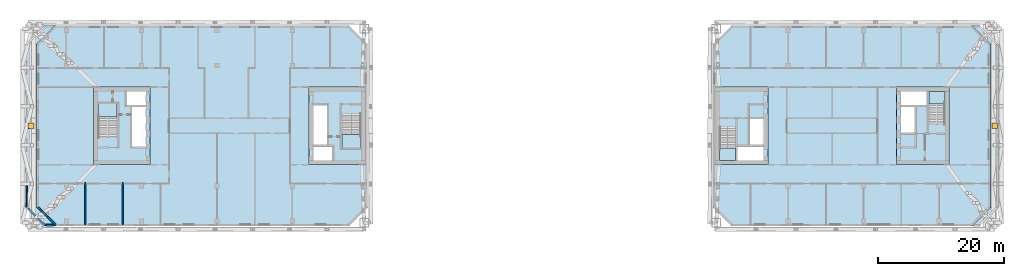
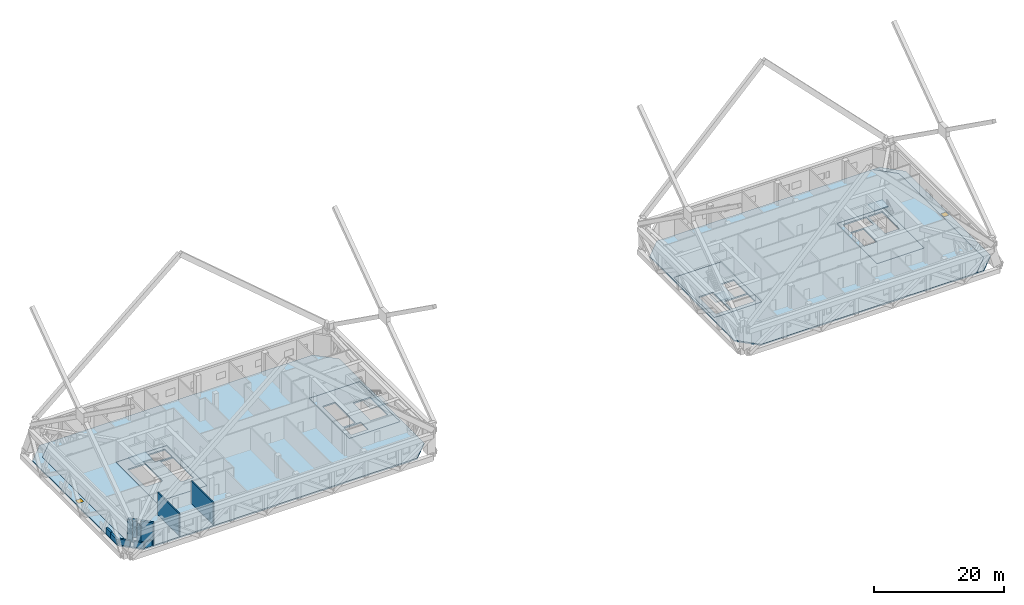
# One storey, part 6 of 20: 12 slabs, 11 walls, 2 windows, 2 openings, 4 elements without a shape of their own.
"""IFC4 building model written with IfcOpenShell, lengths in metres."""

from ifc_helpers import new_model, si_unit, direction, frame, frame_2d, origin, origin_2d, place, context, subcontext, project, spatial, polyline, rectangle, outline, extrude, material, layer, layer_set, type_object, element, fill, aggregate, save


model = new_model("IFC4")

# Units and contexts
model_context = context("Model", 3, precision=1e-05, world=origin(), true_north=direction((0.0, 1.0)))
body_context = subcontext(model_context, "Body", "Model", "MODEL_VIEW")
ifc_project = project(units=[si_unit("LENGTHUNIT", "METRE"), si_unit("AREAUNIT", "SQUARE_METRE"), si_unit("VOLUMEUNIT", "CUBIC_METRE"), si_unit("PLANEANGLEUNIT", "RADIAN"), si_unit("MASSUNIT", "GRAM", prefix="KILO")], contexts=[model_context])

# Site, building, storey
site_placement = place(None, origin())
site = spatial("IfcSite", under=ifc_project, at=site_placement, CompositionType="ELEMENT")
building_placement = place(site_placement, origin())
building = spatial("IfcBuilding", under=site, at=building_placement, Name="Tuart Gate Housing", CompositionType="ELEMENT")
storey_placement = place(building_placement, frame((0.0, 0.0, 62.89990234375)))
storey = spatial("IfcBuildingStorey", under=building, at=storey_placement, Name="L17", CompositionType="ELEMENT", Elevation=62.89990234375)

# Slabs
ifc_material_1 = material(Name="Concrete C40", Category="concrete")
ifc_layer_1 = layer(ifc_material_1, 0.25)
ifc_layer_set_1 = layer_set([ifc_layer_1], Name="Core floor slab 250")
slab_type_1 = type_object("IfcSlabType", Name="Core floor slab 250", PredefinedType="FLOOR", material=ifc_layer_set_1)
slab_1_placement = place(storey_placement, frame((0.0, 0.0, -0.25)))
element("IfcSlab", 1, at=slab_1_placement, inside=storey, type_object=slab_type_1, Name="Core floor AG", PredefinedType="FLOOR", context=body_context, shape_type="SweptSolid", body=[
    extrude(outline(polyline([(66.639892578125, 63.800048828125), (75.639892578125, 63.800048828125), (75.639892578125, 76.199951171875), (66.639892578125, 76.199951171875), (66.639892578125, 63.800048828125)]), holes=[polyline([(67.340087890625, 64.5), (70.360107421875, 64.5), (70.360107421875, 66.699951171875), (67.340087890625, 66.699951171875), (67.340087890625, 64.5)]), polyline([(67.340087890625, 67.0), (69.5400390625, 67.0), (69.5400390625, 73.300048828125), (67.340087890625, 73.300048828125), (67.340087890625, 67.0)]), polyline([(71.889892578125, 66.35009765625), (74.93994140625, 66.35009765625), (74.93994140625, 71.7548828125), (71.889892578125, 71.7548828125), (71.889892578125, 66.35009765625)])]), origin(), (0.0, 0.0, 1.0), 0.25),
])
slab_2_placement = place(storey_placement, frame((0.0, 0.0, -0.25)))
element("IfcSlab", 2, at=slab_2_placement, inside=storey, type_object=slab_type_1, Name="Core floor AK", PredefinedType="FLOOR", context=body_context, shape_type="SweptSolid", body=[
    extrude(outline(polyline([(32.360107421875, 63.800048828125), (41.360107421875, 63.800048828125), (41.360107421875, 76.199951171875), (32.360107421875, 76.199951171875), (32.360107421875, 63.800048828125)]), holes=[polyline([(40.659912109375, 75.5), (37.639892578125, 75.5), (37.639892578125, 73.300048828125), (40.659912109375, 73.300048828125), (40.659912109375, 75.5)]), polyline([(40.659912109375, 73.0), (38.4599609375, 73.0), (38.4599609375, 66.699951171875), (40.659912109375, 66.699951171875), (40.659912109375, 73.0)]), polyline([(36.110107421875, 73.64990234375), (33.06005859375, 73.64990234375), (33.06005859375, 68.2451171875), (36.110107421875, 68.2451171875), (36.110107421875, 73.64990234375)])]), origin(), (0.0, 0.0, 1.0), 0.25),
])
slab_3_placement = place(storey_placement, frame((0.0, 0.0, -0.25)))
element("IfcSlab", 3, at=slab_3_placement, inside=storey, type_object=slab_type_1, Name="Core floor BG", PredefinedType="FLOOR", context=body_context, shape_type="SweptSolid", body=[
    extrude(outline(polyline([(131.360107421875, 63.800048828125), (139.760009765625, 63.800048828125), (139.760009765625, 76.199951171875), (131.360107421875, 76.199951171875), (131.360107421875, 63.800048828125)]), holes=[polyline([(139.06005859375, 66.85009765625), (134.909912109375, 66.85009765625), (134.909912109375, 64.5), (139.06005859375, 64.5), (139.06005859375, 66.85009765625)]), polyline([(139.06005859375, 71.10009765625), (136.860107421875, 71.10009765625), (136.860107421875, 67.0), (139.06005859375, 67.0), (139.06005859375, 71.10009765625)]), polyline([(134.610107421875, 69.804931640625), (132.06005859375, 69.804931640625), (132.06005859375, 64.5), (134.610107421875, 64.5), (134.610107421875, 69.804931640625)])]), origin(), (0.0, 0.0, 1.0), 0.25),
])
slab_4_placement = place(storey_placement, frame((0.0, 0.0, -0.25)))
element("IfcSlab", 4, at=slab_4_placement, inside=storey, type_object=slab_type_1, Name="Core floor BK", PredefinedType="FLOOR", context=body_context, shape_type="SweptSolid", body=[
    extrude(outline(polyline([(160.239990234375, 63.800048828125), (168.639892578125, 63.800048828125), (168.639892578125, 76.199951171875), (160.239990234375, 76.199951171875), (160.239990234375, 63.800048828125)]), holes=[polyline([(160.93994140625, 73.14990234375), (165.090087890625, 73.14990234375), (165.090087890625, 75.5), (160.93994140625, 75.5), (160.93994140625, 73.14990234375)]), polyline([(160.93994140625, 68.89990234375), (163.139892578125, 68.89990234375), (163.139892578125, 73.0), (160.93994140625, 73.0), (160.93994140625, 68.89990234375)]), polyline([(165.389892578125, 70.195068359375), (167.93994140625, 70.195068359375), (167.93994140625, 75.5), (165.389892578125, 75.5), (165.389892578125, 70.195068359375)])]), origin(), (0.0, 0.0, 1.0), 0.25),
])
ifc_material_2 = material(Name="Concrete C40", Category="concrete")
ifc_layer_2 = layer(ifc_material_2, 0.25)
ifc_layer_set_2 = layer_set([ifc_layer_2], Name="Flat plate 250")
slab_type_2 = type_object("IfcSlabType", Name="Flat plate 250", PredefinedType="FLOOR", material=ifc_layer_set_2)
slab_5_placement = place(storey_placement, frame((0.0, 0.0, -0.25)))
element("IfcSlab", 5, at=slab_5_placement, inside=storey, type_object=slab_type_2, Name="Floor slab A L17", PredefinedType="FLOOR", context=body_context, shape_type="SweptSolid", body=[
    extrude(outline(polyline([(26.25, 86.0), (23.25, 83.0), (23.25, 57.0), (26.25, 54.0), (73.0, 54.0), (76.0, 57.0), (76.0, 83.0), (73.0, 86.0), (26.25, 86.0)]), holes=[polyline([(66.639892578125, 76.199951171875), (75.639892578125, 76.199951171875), (75.639892578125, 63.800048828125), (66.639892578125, 63.800048828125), (66.639892578125, 76.199951171875)]), polyline([(41.360107421875, 76.199951171875), (41.360107421875, 63.800048828125), (32.360107421875, 63.800048828125), (32.360107421875, 76.199951171875), (41.360107421875, 76.199951171875)])]), origin(), (0.0, 0.0, 1.0), 0.25),
])
slab_6_placement = place(storey_placement, frame((0.0, 0.0, -0.25)))
element("IfcSlab", 6, at=slab_6_placement, inside=storey, type_object=slab_type_2, Name="Floor slab B L17", PredefinedType="FLOOR", context=body_context, shape_type="SweptSolid", body=[
    extrude(outline(polyline([(134.0, 86.0), (131.0, 83.0), (131.0, 57.0), (134.0, 54.0), (172.25, 54.0), (175.25, 57.0), (175.25, 83.0), (172.25, 86.0), (134.0, 86.0)]), holes=[polyline([(131.360107421875, 76.199951171875), (139.760009765625, 76.199951171875), (139.760009765625, 63.800048828125), (131.360107421875, 63.800048828125), (131.360107421875, 76.199951171875)]), polyline([(168.639892578125, 76.199951171875), (168.639892578125, 63.800048828125), (160.239990234375, 63.800048828125), (160.239990234375, 76.199951171875), (168.639892578125, 76.199951171875)])]), origin(), (0.0, 0.0, 1.0), 0.25),
])

# Slab, opening, window
ifc_material_3 = material(Name="Concrete C40", Category="concrete")
ifc_layer_3 = layer(ifc_material_3, 0.25)
ifc_layer_set_3 = layer_set([ifc_layer_3], Name="Roof slab 250")
slab_type_3 = type_object("IfcSlabType", Name="Roof slab 250", PredefinedType="ROOF", material=ifc_layer_set_3)
slab_7_placement = place(storey_placement, frame((0.0, 0.0, -0.25)))
slab_7 = element("IfcSlab", 7, at=slab_7_placement, inside=storey, type_object=slab_type_3, Name="Setback roof slab A L17", PredefinedType="ROOF", context=body_context, shape_type="SweptSolid", body=[
    extrude(outline(polyline([(24.5, 54.0), (26.25, 54.0), (23.25, 57.0), (23.25, 83.0), (26.25, 86.0), (24.5, 86.0), (21.5, 83.0), (21.5, 57.0), (24.5, 54.0)])), origin(), (0.0, 0.0, 1.0), 0.25),
])
opening_1_placement = place(slab_7_placement, frame((22.375, 70.0, 0.0)))
opening_1 = element("IfcOpeningElement", 8, at=opening_1_placement, cuts=slab_7, Name="Opening RH1", PredefinedType="OPENING", context=body_context, shape_type="SweptSolid", body=[
    extrude(rectangle(XDim=0.89990234375, YDim=0.89990234375, at=origin_2d()), frame((0.0, 0.0, -0.010009765625)), (0.0, 0.0, 1.0), 0.27001953125),
])
ifc_material_4 = material(Name="Aluminium frame with clear glass", Category="aluminium")
window_type = type_object("IfcWindowType", Name="Roof hatch 900 x 900", PartitioningType="SINGLE_PANEL", PredefinedType="SKYLIGHT", material=ifc_material_4)
window_1_placement = place(opening_1_placement, frame((0.0, 0.0, 0.199951171875)))
window_1 = element("IfcWindow", 9, at=window_1_placement, inside=storey, type_object=window_type, Name="Roof hatch", OverallHeight=0.89990234375, OverallWidth=0.89990234375, PartitioningType="SINGLE_PANEL", PredefinedType="SKYLIGHT", context=body_context, shape_type="SweptSolid", body=[
    extrude(rectangle(XDim=0.89990234375, YDim=0.89990234375, at=origin_2d()), origin(), (0.0, 0.0, 1.0), 0.050048828125),
])
fill(opening_1, window_1)

slab_8_placement = place(storey_placement, frame((0.0, 0.0, -0.25)))
slab_8 = element("IfcSlab", 10, at=slab_8_placement, inside=storey, type_object=slab_type_3, Name="Setback roof slab B L17", PredefinedType="ROOF", context=body_context, shape_type="SweptSolid", body=[
    extrude(outline(polyline([(173.5, 86.0), (172.25, 86.0), (175.25, 83.0), (175.25, 57.0), (172.25, 54.0), (173.5, 54.0), (176.5, 57.0), (176.5, 83.0), (173.5, 86.0)])), origin(), (0.0, 0.0, 1.0), 0.25),
])
opening_2_placement = place(slab_8_placement, frame((175.875, 70.0, 0.0)))
opening_2 = element("IfcOpeningElement", 11, at=opening_2_placement, cuts=slab_8, Name="Opening RH1", PredefinedType="OPENING", context=body_context, shape_type="SweptSolid", body=[
    extrude(rectangle(XDim=0.89990234375, YDim=0.89990234375, at=origin_2d()), frame((0.0, 0.0, -0.010009765625)), (0.0, 0.0, 1.0), 0.27001953125),
])
window_2_placement = place(opening_2_placement, frame((0.0, 0.0, 0.199951171875)))
window_2 = element("IfcWindow", 12, at=window_2_placement, inside=storey, type_object=window_type, Name="Roof hatch", OverallHeight=0.89990234375, OverallWidth=0.89990234375, PartitioningType="SINGLE_PANEL", PredefinedType="SKYLIGHT", context=body_context, shape_type="SweptSolid", body=[
    extrude(rectangle(XDim=0.89990234375, YDim=0.89990234375, at=origin_2d()), origin(), (0.0, 0.0, 1.0), 0.050048828125),
])
fill(opening_2, window_2)

# Stair, slab
ifc_material_5 = material(Name="Concrete C40", Category="concrete")
stair_type_1 = type_object("IfcStairType", Name="Core stair 1500", PredefinedType="HALF_TURN_STAIR", material=ifc_material_5)
stair_1_placement = place(storey_placement, origin())
stair_1 = element("IfcStair", 13, at=stair_1_placement, inside=storey, type_object=stair_type_1, Name="Stair SA1", PredefinedType="HALF_TURN_STAIR")
ifc_material_6 = material(Name="Concrete C40", Category="concrete")
ifc_layer_4 = layer(ifc_material_6, 0.199951171875)
ifc_layer_set_4 = layer_set([ifc_layer_4], Name="Stair landing 200")
slab_type_4 = type_object("IfcSlabType", Name="Stair landing 200", PredefinedType="LANDING", material=ifc_layer_set_4)
slab_9_placement = place(storey_placement, frame((0.0, 0.0, 2.050048828125)))
slab_9 = element("IfcSlab", 14, at=slab_9_placement, type_object=slab_type_4, Name="SA1 landing 1", PredefinedType="LANDING", context=body_context, shape_type="SweptSolid", body=[
    extrude(outline(polyline([(71.889892578125, 66.35009765625), (74.93994140625, 66.35009765625), (74.93994140625, 68.590087890625), (71.889892578125, 68.590087890625), (71.889892578125, 66.35009765625)])), origin(), (0.0, 0.0, 1.0), 0.199951171875),
])
aggregate(stair_1, [slab_9])

stair_2_placement = place(storey_placement, origin())
stair_2 = element("IfcStair", 15, at=stair_2_placement, inside=storey, type_object=stair_type_1, Name="Stair SA2", PredefinedType="HALF_TURN_STAIR")
slab_10_placement = place(storey_placement, frame((0.0, 0.0, 2.050048828125)))
slab_10 = element("IfcSlab", 16, at=slab_10_placement, type_object=slab_type_4, Name="SA2 landing 1", PredefinedType="LANDING", context=body_context, shape_type="SweptSolid", body=[
    extrude(outline(polyline([(36.110107421875, 73.64990234375), (33.06005859375, 73.64990234375), (33.06005859375, 71.409912109375), (36.110107421875, 71.409912109375), (36.110107421875, 73.64990234375)])), origin(), (0.0, 0.0, 1.0), 0.199951171875),
])
aggregate(stair_2, [slab_10])

ifc_material_7 = material(Name="Concrete C40", Category="concrete")
stair_type_2 = type_object("IfcStairType", Name="Core stair 1250", PredefinedType="HALF_TURN_STAIR", material=ifc_material_7)
stair_3_placement = place(storey_placement, origin())
stair_3 = element("IfcStair", 17, at=stair_3_placement, inside=storey, type_object=stair_type_2, Name="Stair SB1", PredefinedType="HALF_TURN_STAIR")
slab_11_placement = place(storey_placement, frame((0.0, 0.0, 2.050048828125)))
slab_11 = element("IfcSlab", 18, at=slab_11_placement, type_object=slab_type_4, Name="SB1 landing 1", PredefinedType="LANDING", context=body_context, shape_type="SweptSolid", body=[
    extrude(outline(polyline([(134.610107421875, 66.489990234375), (132.06005859375, 66.489990234375), (132.06005859375, 64.5), (134.610107421875, 64.5), (134.610107421875, 66.489990234375)])), origin(), (0.0, 0.0, 1.0), 0.199951171875),
])
aggregate(stair_3, [slab_11])

stair_4_placement = place(storey_placement, origin())
stair_4 = element("IfcStair", 19, at=stair_4_placement, inside=storey, type_object=stair_type_2, Name="Stair SB2", PredefinedType="HALF_TURN_STAIR")
slab_12_placement = place(storey_placement, frame((0.0, 0.0, 2.050048828125)))
slab_12 = element("IfcSlab", 20, at=slab_12_placement, type_object=slab_type_4, Name="SB2 landing 1", PredefinedType="LANDING", context=body_context, shape_type="SweptSolid", body=[
    extrude(outline(polyline([(165.389892578125, 73.510009765625), (167.93994140625, 73.510009765625), (167.93994140625, 75.5), (165.389892578125, 75.5), (165.389892578125, 73.510009765625)])), origin(), (0.0, 0.0, 1.0), 0.199951171875),
])
aggregate(stair_4, [slab_12])

# Walls
ifc_material_8 = material(Name="Brick", Category="masonry")
ifc_layer_5 = layer(ifc_material_8, 0.300048828125)
ifc_layer_set_5 = layer_set([ifc_layer_5], Name="Brick parapet wall 300")
wall_type_1 = type_object("IfcWallType", Name="Brick parapet wall 300", PredefinedType="PARAPET", material=ifc_layer_set_5)
wall_1_placement = place(storey_placement, frame((21.64990234375, 60.447021484375, 0.0), z_axis=(0.0, 0.0, 1.0), x_axis=(0.0, -1.0, 0.0)))
element("IfcWall", 21, at=wall_1_placement, inside=storey, type_object=wall_type_1, Name="Roof parapet A 3", PredefinedType="PARAPET", context=body_context, shape_type="SweptSolid", body=[
    extrude(rectangle(XDim=1.403076171875, YDim=0.300048828125, at=frame_2d((0.70166015625, 0.0))), origin(), (0.0, 0.0, 1.0), 1.10009765625),
])
wall_2_placement = place(storey_placement, frame((21.64990234375, 59.0439453125, 0.0), z_axis=(0.0, 0.0, 1.0), x_axis=(0.0, -1.0, 0.0)))
element("IfcWall", 22, at=wall_2_placement, inside=storey, type_object=wall_type_1, Name="Roof parapet A 3", PredefinedType="PARAPET", context=body_context, shape_type="SweptSolid", body=[
    extrude(rectangle(XDim=1.98193359375, YDim=0.300048828125, at=frame_2d((0.990966796875, 0.0))), origin(), (0.0, 0.0, 1.0), 0.91650390625),
])
wall_3_placement = place(storey_placement, frame((21.89794921875, 56.814208984375, 0.0), z_axis=(0.0, 0.0, 1.0), x_axis=(0.707106781187, -0.707106781187, 0.0)))
element("IfcWall", 23, at=wall_3_placement, inside=storey, type_object=wall_type_1, Name="Roof parapet A 4", PredefinedType="PARAPET", context=body_context, shape_type="SweptSolid", body=[
    extrude(rectangle(XDim=1.628662109375, YDim=0.300048828125, at=frame_2d((0.814453125, 0.0))), origin(), (0.0, 0.0, 1.0), 1.10009765625),
])
wall_4_placement = place(storey_placement, frame((23.489013671875, 55.22314453125, 0.0), z_axis=(0.0, 0.0, 1.0), x_axis=(0.707026341306, -0.707187211918, 0.0)))
element("IfcWall", 24, at=wall_4_placement, inside=storey, type_object=wall_type_1, Name="Roof parapet A 4", PredefinedType="PARAPET", context=body_context, shape_type="SweptSolid", body=[
    extrude(rectangle(XDim=1.517578125, YDim=0.300048828125, at=frame_2d((0.7587890625, 0.0))), origin(), (0.0, 0.0, 1.0), 1.10009765625),
])
wall_5_placement = place(storey_placement, frame((24.714111328125, 54.14990234375, 0.0), z_axis=(0.0, 0.0, 1.0), x_axis=(1.0, 0.0, 0.0)))
element("IfcWall", 25, at=wall_5_placement, inside=storey, type_object=wall_type_1, Name="Roof parapet A 5", PredefinedType="PARAPET", context=body_context, shape_type="SweptSolid", body=[
    extrude(rectangle(XDim=1.23583984375, YDim=0.300048828125, at=frame_2d((0.617919921875, 0.0))), origin(), (0.0, 0.0, 1.0), 1.10009765625),
])
ifc_material_9 = material(Name="Brick", Category="masonry")
ifc_layer_6 = layer(ifc_material_9, 0.360107421875)
ifc_layer_set_6 = layer_set([ifc_layer_6], Name="Brick pier and spandrel wall 360")
wall_type_2 = type_object("IfcWallType", Name="Brick pier and spandrel wall 360", PredefinedType="STANDARD", material=ifc_layer_set_6)
wall_6_placement = place(storey_placement, frame((23.46533203125, 57.039306640625, 0.0), z_axis=(0.0, 0.0, 1.0), x_axis=(0.707106781187, -0.707106781187, 0.0)))
element("IfcWall", 26, at=wall_6_placement, inside=storey, type_object=wall_type_2, Name="External wall A-SW L17", PredefinedType="STANDARD", context=body_context, shape_type="SweptSolid", body=[
    extrude(rectangle(XDim=0.7529296875, YDim=0.360107421875, at=frame_2d((0.37646484375, 0.0))), origin(), (0.0, 0.0, 1.0), 4.2001953125),
])
wall_7_placement = place(storey_placement, frame((23.997802734375, 56.5068359375, 0.953125), z_axis=(0.0, 0.0, 1.0), x_axis=(0.706911258792, -0.707302249532, 0.0)))
element("IfcWall", 27, at=wall_7_placement, inside=storey, type_object=wall_type_2, Name="External wall A-SW L17", PredefinedType="STANDARD", context=body_context, shape_type="SweptSolid", body=[
    extrude(rectangle(XDim=0.62451171875, YDim=0.360107421875, at=frame_2d((0.312255859375, 0.0))), origin(), (0.0, 0.0, 1.0), 3.2470703125),
])
wall_8_placement = place(storey_placement, frame((24.522216796875, 55.982421875, 0.0), z_axis=(0.0, 0.0, 1.0), x_axis=(0.70690569865, -0.707307806556, 0.0)))
element("IfcWall", 28, at=wall_8_placement, inside=storey, type_object=wall_type_2, Name="External wall A-SW L17", PredefinedType="STANDARD", context=body_context, shape_type="SweptSolid", body=[
    extrude(rectangle(XDim=0.607177734375, YDim=0.360107421875, at=frame_2d((0.3037109375, 0.0))), origin(), (0.0, 0.0, 1.0), 3.397216796875),
])
wall_9_placement = place(storey_placement, frame((24.951416015625, 55.552978515625, 0.0), z_axis=(0.0, 0.0, 1.0), x_axis=(0.707169637916, -0.707043918869, 0.0)))
element("IfcWall", 29, at=wall_9_placement, inside=storey, type_object=wall_type_2, Name="External wall A-SW L17", PredefinedType="STANDARD", context=body_context, shape_type="SweptSolid", body=[
    extrude(rectangle(XDim=1.94189453125, YDim=0.360107421875, at=frame_2d((0.970947265625, 0.0))), origin(), (0.0, 0.0, 1.0), 4.2001953125),
])
ifc_material_10 = material(Name="Concrete masonry 15 MPa", Category="masonry")
ifc_layer_7 = layer(ifc_material_10, 0.199951171875)
ifc_layer_set_7 = layer_set([ifc_layer_7], Name="Enclosure wall masonry 200")
wall_type_3 = type_object("IfcWallType", Name="Enclosure wall masonry 200", PredefinedType="PARTITIONING", material=ifc_layer_set_7)
for number, where, z_axis, x_axis, name in (
    (30, (31.0, 54.239990234375, 0.0), (0.0, 0.0, 1.0), (0.0, 1.0, 0.0), "Enclosure wall masonry 200"),
    (31, (37.0, 54.239990234375, 0.0), (0.0, 0.0, 1.0), (0.0, 1.0, 0.0), "Enclosure wall masonry 200"),
):
    element("IfcWall", number, at=place(storey_placement, frame(where, z_axis=z_axis, x_axis=x_axis)), inside=storey, type_object=wall_type_3, Name=name, PredefinedType="PARTITIONING", context=body_context, shape_type="SweptSolid", body=[
        extrude(rectangle(XDim=6.659912109375, YDim=0.199951171875, at=frame_2d((3.330078125, 0.0))), origin(), (0.0, 0.0, 1.0), 4.2001953125),
    ])

save(model, "model.ifc")
